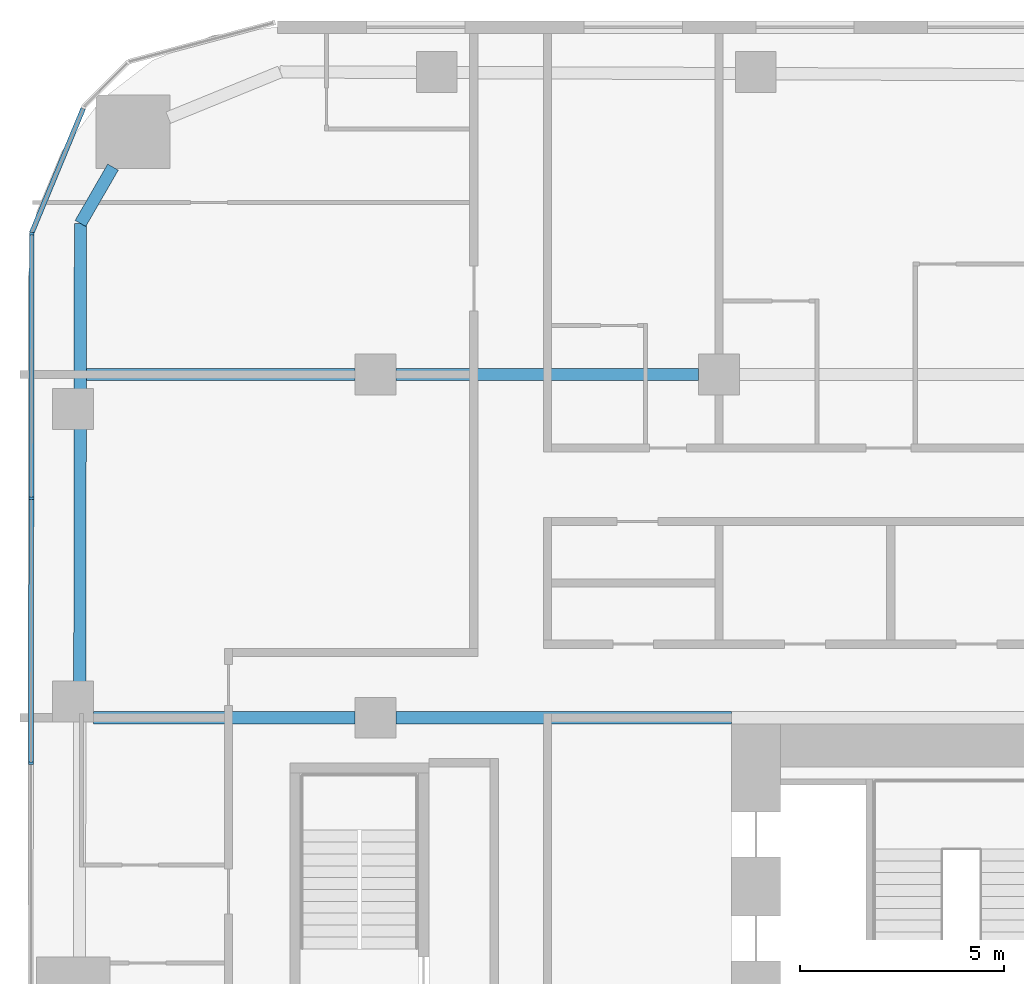
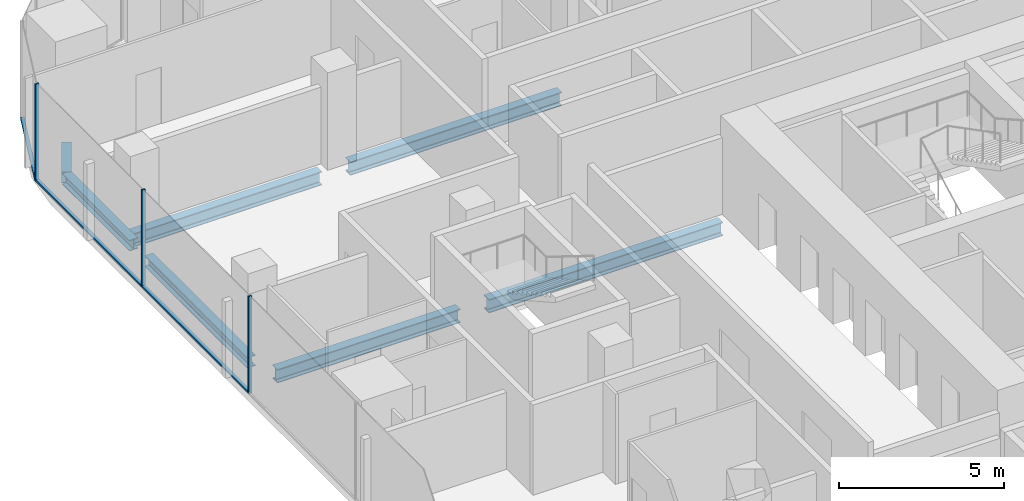
# One storey, part 8 of 25: 7 beams, 6 members, 2 elements without a shape of their own.
"""IFC4 building model written with IfcOpenShell, lengths in metres."""

from ifc_helpers import new_model, si_unit, direction, frame, origin, origin_2d, place, context, subcontext, project, spatial, rectangle, i_section, extrude, material, layer, layer_set, material_profile, profile_set, type_object, element, aggregate, save


model = new_model("IFC4")

# Units and contexts
model_context = context("Model", 3, precision=1e-05, world=origin(), true_north=direction((0.0, 1.0)))
body_context = subcontext(model_context, "Body", "Model", "MODEL_VIEW")
ifc_project = project(units=[si_unit("LENGTHUNIT", "METRE"), si_unit("AREAUNIT", "SQUARE_METRE"), si_unit("VOLUMEUNIT", "CUBIC_METRE"), si_unit("PLANEANGLEUNIT", "RADIAN"), si_unit("MASSUNIT", "GRAM", prefix="KILO")], contexts=[model_context])

# Site, building, storey
site_placement = place(None, origin())
site = spatial("IfcSite", under=ifc_project, at=site_placement, CompositionType="ELEMENT")
building_placement = place(site_placement, origin())
building = spatial("IfcBuilding", under=site, at=building_placement, Name="Marenta Gate Hotel Tower", CompositionType="ELEMENT")
storey_placement = place(building_placement, frame((0.0, 0.0, 50.89990234375)))
storey = spatial("IfcBuildingStorey", under=building, at=storey_placement, Name="L10", CompositionType="ELEMENT", Elevation=50.89990234375)

# Beams
ifc_material_1 = material(Name="Steel S355", Category="steel")
ifc_material_profile_1 = material_profile(ifc_material_1, i_section(OverallWidth=0.300048828125, OverallDepth=0.39990234375, WebThickness=0.013427734375, FlangeThickness=0.02392578125, FilletRadius=0.027099609375, at=origin_2d()), Name="HEB 400")
ifc_profile_set_1 = profile_set([ifc_material_profile_1], Name="Steel S355")
beam_type_1 = type_object("IfcBeamType", Name="Edge beam HEB 400", PredefinedType="SPANDREL", material=ifc_profile_set_1)
beam_1_placement = place(storey_placement, frame((-28.23681640625, 17.6630859375, -0.4599609375), z_axis=(0.001370827476, 0.999999060416, 0.0), x_axis=(-0.999999060416, 0.001370827476, 0.0)))
element("IfcBeam", 1, at=beam_1_placement, inside=storey, type_object=beam_type_1, Name="L10-EB-9", PredefinedType="SPANDREL", context=body_context, shape_type="SweptSolid", body=[
    extrude(i_section(OverallWidth=0.300048828125, OverallDepth=0.39990234375, WebThickness=0.013427734375, FlangeThickness=0.02392578125, FilletRadius=0.027099609375, at=origin_2d()), origin(), (0.0, 0.0, 1.0), 6.2333984375),
])
beam_2_placement = place(storey_placement, frame((-28.22705078125, 24.81640625, -0.4599609375), z_axis=(0.001377821732, 0.999999050803, 0.0), x_axis=(-0.999999050803, 0.001377821732, 0.0)))
element("IfcBeam", 2, at=beam_2_placement, inside=storey, type_object=beam_type_1, Name="L10-EB-10", PredefinedType="SPANDREL", context=body_context, shape_type="SweptSolid", body=[
    extrude(i_section(OverallWidth=0.300048828125, OverallDepth=0.39990234375, WebThickness=0.013427734375, FlangeThickness=0.02392578125, FilletRadius=0.027099609375, at=origin_2d()), origin(), (0.0, 0.0, 1.0), 4.075439453125),
])
beam_3_placement = place(storey_placement, frame((-28.221435546875, 28.891845703125, -0.4599609375), z_axis=(0.500098681536, 0.865968422476, 0.0), x_axis=(-0.865968422476, 0.500098681536, 0.0)))
element("IfcBeam", 3, at=beam_3_placement, inside=storey, type_object=beam_type_1, Name="L10-EB-11", PredefinedType="SPANDREL", context=body_context, shape_type="SweptSolid", body=[
    extrude(i_section(OverallWidth=0.300048828125, OverallDepth=0.39990234375, WebThickness=0.013427734375, FlangeThickness=0.02392578125, FilletRadius=0.027099609375, at=origin_2d()), origin(), (0.0, 0.0, 1.0), 1.591552734375),
])
ifc_material_2 = material(Name="Steel S355", Category="steel")
ifc_material_profile_2 = material_profile(ifc_material_2, i_section(OverallWidth=0.300048828125, OverallDepth=0.5, WebThickness=0.014404296875, FlangeThickness=0.028076171875, FilletRadius=0.027099609375, at=origin_2d()), Name="HEB 500")
ifc_profile_set_2 = profile_set([ifc_material_profile_2], Name="Steel S355")
beam_type_2 = type_object("IfcBeamType", Name="Girder HEB 500", PredefinedType="BEAM", material=ifc_profile_set_2)
beam_4_placement = place(storey_placement, frame((-27.89990234375, 16.800048828125, -0.510009765625), z_axis=(1.0, 0.0, 0.0), x_axis=(0.0, 1.0, 0.0)))
element("IfcBeam", 4, at=beam_4_placement, inside=storey, type_object=beam_type_2, Name="L10-GD-17", PredefinedType="BEAM", context=body_context, shape_type="SweptSolid", body=[
    extrude(i_section(OverallWidth=0.300048828125, OverallDepth=0.5, WebThickness=0.014404296875, FlangeThickness=0.028076171875, FilletRadius=0.027099609375, at=origin_2d()), origin(), (0.0, 0.0, 1.0), 6.39990234375),
])
beam_5_placement = place(storey_placement, frame((-20.5, 16.800048828125, -0.510009765625), z_axis=(1.0, 0.0, 0.0), x_axis=(0.0, 1.0, 0.0)))
element("IfcBeam", 5, at=beam_5_placement, inside=storey, type_object=beam_type_2, Name="L10-GD-18", PredefinedType="BEAM", context=body_context, shape_type="SweptSolid", body=[
    extrude(i_section(OverallWidth=0.300048828125, OverallDepth=0.5, WebThickness=0.014404296875, FlangeThickness=0.028076171875, FilletRadius=0.027099609375, at=origin_2d()), origin(), (0.0, 0.0, 1.0), 8.199951171875),
])
beam_6_placement = place(storey_placement, frame((-28.076416015625, 25.199951171875, -0.510009765625), z_axis=(1.0, 0.0, 0.0), x_axis=(0.0, 1.0, 0.0)))
element("IfcBeam", 6, at=beam_6_placement, inside=storey, type_object=beam_type_2, Name="L10-GD-22", PredefinedType="BEAM", context=body_context, shape_type="SweptSolid", body=[
    extrude(i_section(OverallWidth=0.300048828125, OverallDepth=0.5, WebThickness=0.014404296875, FlangeThickness=0.028076171875, FilletRadius=0.027099609375, at=origin_2d()), origin(), (0.0, 0.0, 1.0), 6.576416015625),
])
beam_7_placement = place(storey_placement, frame((-20.5, 25.199951171875, -0.510009765625), z_axis=(1.0, 0.0, 0.0), x_axis=(0.0, 1.0, 0.0)))
element("IfcBeam", 7, at=beam_7_placement, inside=storey, type_object=beam_type_2, Name="L10-GD-23", PredefinedType="BEAM", context=body_context, shape_type="SweptSolid", body=[
    extrude(i_section(OverallWidth=0.300048828125, OverallDepth=0.5, WebThickness=0.014404296875, FlangeThickness=0.028076171875, FilletRadius=0.027099609375, at=origin_2d()), origin(), (0.0, 0.0, 1.0), 7.39990234375),
])

# Curtain wall, members
ifc_material_3 = material(Name="Tinted insulated glass in bronze anodised frame", Category="glass")
ifc_layer = layer(ifc_material_3, 0.1201171875)
ifc_layer_set = layer_set([ifc_layer], Name="Tinted insulated glass in bronze anodised frame")
curtain_wall_type = type_object("IfcCurtainWallType", Name="Tower unitised curtain wall CW1", PredefinedType="NOTDEFINED", material=ifc_layer_set)
curtain_wall_1_placement = place(storey_placement, origin())
curtain_wall_1 = element("IfcCurtainWall", 8, at=curtain_wall_1_placement, inside=storey, type_object=curtain_wall_type, Name="CW1 run G03", PredefinedType="NOTDEFINED")
ifc_material_4 = material(Name="Bronze anodised aluminium", Category="aluminium")
ifc_material_profile_3 = material_profile(ifc_material_4, rectangle(XDim=0.1201171875, YDim=0.06005859375, at=origin_2d()), Name="Mullion CW1 60x120 bronze anodised aluminium")
ifc_profile_set_3 = profile_set([ifc_material_profile_3], Name="Bronze anodised aluminium")
member_type_1 = type_object("IfcMemberType", Name="Mullion CW1 60x120 bronze anodised aluminium", PredefinedType="MULLION", material=ifc_profile_set_3)
member_1_placement = place(storey_placement, frame((-29.412353515625, 28.63623046875, 0.0), z_axis=(0.0, 0.0, 1.0), x_axis=(0.99999877316, -0.00156642217, 0.0)))
member_1 = element("IfcMember", 9, at=member_1_placement, type_object=member_type_1, Name="CW1 mullion 1", PredefinedType="MULLION", context=body_context, shape_type="SweptSolid", body=[
    extrude(rectangle(XDim=0.1201171875, YDim=0.06005859375, at=origin_2d()), origin(), (0.0, 0.0, 1.0), 3.60009765625),
])
member_2_placement = place(storey_placement, frame((-29.42236328125, 22.17578125, 0.0), z_axis=(0.0, 0.0, 1.0), x_axis=(0.99999877316, -0.00156642217, 0.0)))
member_2 = element("IfcMember", 10, at=member_2_placement, type_object=member_type_1, Name="CW1 mullion 2", PredefinedType="MULLION", context=body_context, shape_type="SweptSolid", body=[
    extrude(rectangle(XDim=0.1201171875, YDim=0.06005859375, at=origin_2d()), origin(), (0.0, 0.0, 1.0), 3.60009765625),
])
member_3_placement = place(storey_placement, frame((-29.4326171875, 15.685546875, 0.0), z_axis=(0.0, 0.0, 1.0), x_axis=(0.99999877316, -0.00156642217, 0.0)))
member_3 = element("IfcMember", 11, at=member_3_placement, type_object=member_type_1, Name="CW1 mullion 3", PredefinedType="MULLION", context=body_context, shape_type="SweptSolid", body=[
    extrude(rectangle(XDim=0.1201171875, YDim=0.06005859375, at=origin_2d()), origin(), (0.0, 0.0, 1.0), 3.60009765625),
])

# Curtain wall, member
curtain_wall_2_placement = place(storey_placement, origin())
curtain_wall_2 = element("IfcCurtainWall", 12, at=curtain_wall_2_placement, inside=storey, type_object=curtain_wall_type, Name="CW1 run G02", PredefinedType="NOTDEFINED")
ifc_material_5 = material(Name="Bronze anodised aluminium", Category="aluminium")
ifc_material_profile_4 = material_profile(ifc_material_5, rectangle(XDim=0.1201171875, YDim=0.06005859375, at=origin_2d()), Name="Transom CW1 60x120 bronze anodised aluminium")
ifc_profile_set_4 = profile_set([ifc_material_profile_4], Name="Bronze anodised aluminium")
member_type_2 = type_object("IfcMemberType", Name="Transom CW1 60x120 bronze anodised aluminium", PredefinedType="USERDEFINED", material=ifc_profile_set_4)
member_4_placement = place(storey_placement, frame((-28.15380859375, 31.704345703125, 0.030029296875), z_axis=(-0.382716791654, -0.923865713936, 0.0), x_axis=(0.923865713936, -0.382716791654, 0.0)))
member_4 = element("IfcMember", 13, at=member_4_placement, type_object=member_type_2, Name="CW1 transom 1.1", ObjectType="TRANSOM", PredefinedType="USERDEFINED", context=body_context, shape_type="SweptSolid", body=[
    extrude(rectangle(XDim=0.1201171875, YDim=0.06005859375, at=origin_2d()), origin(), (0.0, 0.0, 1.0), 3.288330078125),
])
aggregate(curtain_wall_2, [member_4])

# Member
member_5_placement = place(storey_placement, frame((-29.412353515625, 28.606201171875, 0.030029296875), z_axis=(-0.001563928512, -0.999998777063, 0.0), x_axis=(0.999998777063, -0.001563928512, 0.0)))
member_5 = element("IfcMember", 14, at=member_5_placement, type_object=member_type_2, Name="CW1 transom 1.1", ObjectType="TRANSOM", PredefinedType="USERDEFINED", context=body_context, shape_type="SweptSolid", body=[
    extrude(rectangle(XDim=0.1201171875, YDim=0.06005859375, at=origin_2d()), origin(), (0.0, 0.0, 1.0), 6.400390625),
])

member_6_placement = place(storey_placement, frame((-29.422607421875, 22.145751953125, 0.030029296875), z_axis=(-0.001556684271, -0.999998788366, 0.0), x_axis=(0.999998788366, -0.001556684271, 0.0)))
member_6 = element("IfcMember", 15, at=member_6_placement, type_object=member_type_2, Name="CW1 transom 2.1", ObjectType="TRANSOM", PredefinedType="USERDEFINED", context=body_context, shape_type="SweptSolid", body=[
    extrude(rectangle(XDim=0.1201171875, YDim=0.06005859375, at=origin_2d()), origin(), (0.0, 0.0, 1.0), 6.43017578125),
])

aggregate(curtain_wall_1, [member_1, member_2, member_3, member_5, member_6])

save(model, "model.ifc")
